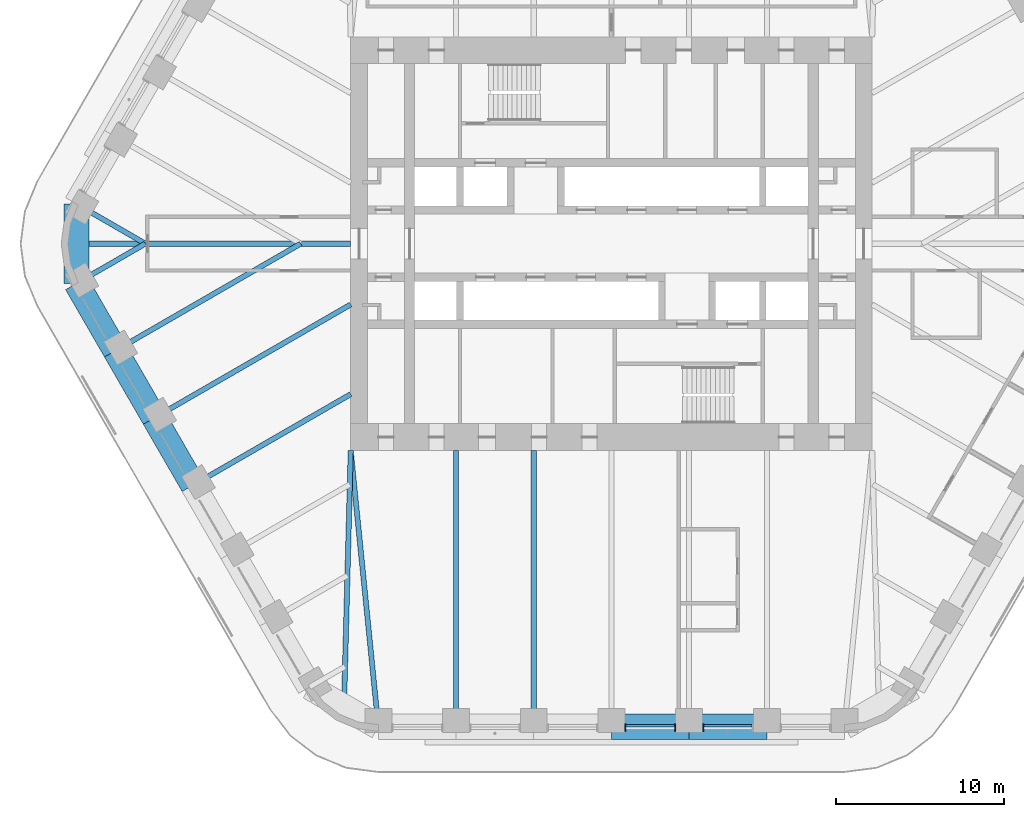
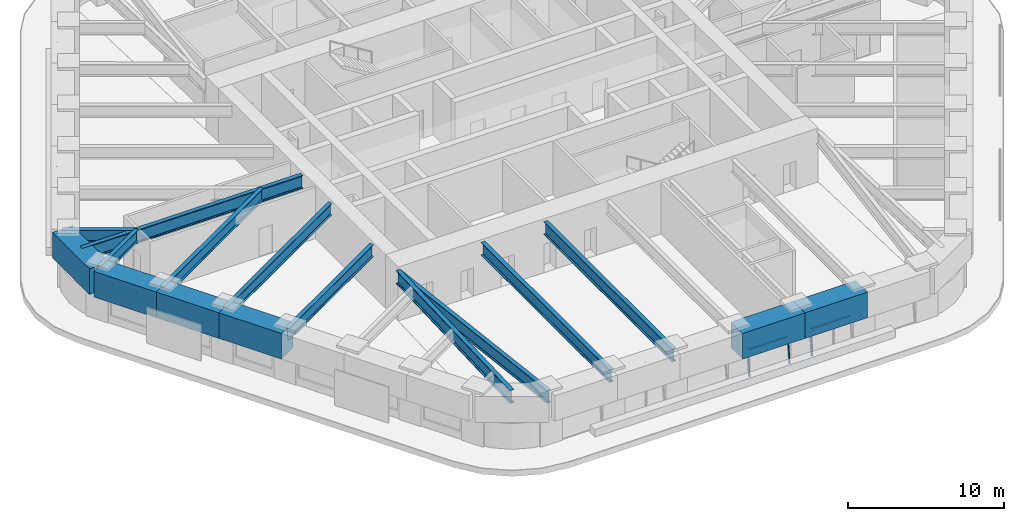
# One storey, part 3 of 20: 16 beams, 5 members, 2 elements without a shape of their own.
"""IFC4 building model written with IfcOpenShell, lengths in metres."""

from ifc_helpers import new_model, si_unit, direction, frame, origin, origin_2d, place, context, subcontext, project, spatial, rectangle, i_section, extrude, material, material_profile, profile_set, type_object, element, aggregate, save


model = new_model("IFC4")

# Units and contexts
model_context = context("Model", 3, precision=1e-05, world=origin(), true_north=direction((0.0, 1.0)))
body_context = subcontext(model_context, "Body", "Model", "MODEL_VIEW")
ifc_project = project(units=[si_unit("LENGTHUNIT", "METRE"), si_unit("AREAUNIT", "SQUARE_METRE"), si_unit("VOLUMEUNIT", "CUBIC_METRE"), si_unit("PLANEANGLEUNIT", "RADIAN"), si_unit("MASSUNIT", "GRAM", prefix="KILO")], contexts=[model_context])

# Site, building, storey
site_placement = place(None, origin())
site = spatial("IfcSite", under=ifc_project, at=site_placement, CompositionType="ELEMENT")
building_placement = place(site_placement, origin())
building = spatial("IfcBuilding", under=site, at=building_placement, Name="Tarfa Lantern Tower", CompositionType="ELEMENT")
storey_placement = place(building_placement, frame((0.0, 0.0, 223.89990234375)))
storey = spatial("IfcBuildingStorey", under=building, at=storey_placement, Name="L50", CompositionType="ELEMENT", Elevation=223.89990234375)

# Curtain wall, members
ifc_material_1 = material(Name="Aluminium framed curtain wall", Category="aluminium")
curtain_wall_type = type_object("IfcCurtainWallType", Name="CW3 CANTED GLAZING HIGH ZONE 2000", PredefinedType="USERDEFINED", material=ifc_material_1)
curtain_wall_1_placement = place(storey_placement, origin())
curtain_wall_1 = element("IfcCurtainWall", 1, at=curtain_wall_1_placement, inside=storey, type_object=curtain_wall_type, Name="CW3 S L50", ObjectType="CURTAIN WALL", PredefinedType="USERDEFINED")
ifc_material_2 = material(Name="Aluminium mullion", Category="aluminium")
ifc_material_profile_1 = material_profile(ifc_material_2, rectangle(XDim=0.06494140625, YDim=0.199951171875, at=origin_2d()), Name="AL MULLION 65x200")
ifc_profile_set_1 = profile_set([ifc_material_profile_1], Name="Aluminium mullion")
member_type_1 = type_object("IfcMemberType", Name="CWM1 MULLION 65x200", PredefinedType="MULLION", material=ifc_profile_set_1)
member_1_placement = place(storey_placement, frame((0.83251953125, -28.89990234375, 0.0), z_axis=(0.0, 0.124034734589, 0.992277876714), x_axis=(-1.0, 0.0, 0.0)))
member_1 = element("IfcMember", 2, at=member_1_placement, type_object=member_type_1, Name="CW3 mullion 1", PredefinedType="MULLION", context=body_context, shape_type="SweptSolid", body=[
    extrude(rectangle(XDim=0.06494140625, YDim=0.199951171875, at=origin_2d()), origin(), (0.0, 0.0, 1.0), 2.015625),
])
member_2_placement = place(storey_placement, frame((3.786376953125, -28.89990234375, 0.0), z_axis=(0.0, 0.124034734589, 0.992277876714), x_axis=(-1.0, 0.0, 0.0)))
member_2 = element("IfcMember", 3, at=member_2_placement, type_object=member_type_1, Name="CW3 mullion 2", PredefinedType="MULLION", context=body_context, shape_type="SweptSolid", body=[
    extrude(rectangle(XDim=0.06494140625, YDim=0.199951171875, at=origin_2d()), origin(), (0.0, 0.0, 1.0), 2.015625),
])

# Curtain wall, member
curtain_wall_2_placement = place(storey_placement, origin())
curtain_wall_2 = element("IfcCurtainWall", 4, at=curtain_wall_2_placement, inside=storey, type_object=curtain_wall_type, Name="CW3 S L50", ObjectType="CURTAIN WALL", PredefinedType="USERDEFINED")
member_3_placement = place(storey_placement, frame((5.451416015625, -28.89990234375, 0.0), z_axis=(0.0, 0.124034734589, 0.992277876714), x_axis=(-1.0, 0.0, 0.0)))
member_3 = element("IfcMember", 5, at=member_3_placement, type_object=member_type_1, Name="CW3 mullion 1", PredefinedType="MULLION", context=body_context, shape_type="SweptSolid", body=[
    extrude(rectangle(XDim=0.06494140625, YDim=0.199951171875, at=origin_2d()), origin(), (0.0, 0.0, 1.0), 2.015625),
])

# Member
ifc_material_3 = material(Name="Aluminium transom", Category="aluminium")
ifc_material_profile_2 = material_profile(ifc_material_3, rectangle(XDim=0.14990234375, YDim=0.06494140625, at=origin_2d()), Name="AL TRANSOM 150x65")
ifc_profile_set_2 = profile_set([ifc_material_profile_2], Name="Aluminium transom")
member_type_2 = type_object("IfcMemberType", Name="CWT1 TRANSOM 150x65", PredefinedType="USERDEFINED", material=ifc_profile_set_2)
member_4_placement = place(storey_placement, frame((0.864990234375, -28.654052734375, 1.967529296875), z_axis=(1.0, 0.0, 0.0), x_axis=(0.0, 1.0, 0.0)))
member_4 = element("IfcMember", 6, at=member_4_placement, type_object=member_type_2, Name="CW3 transom 1.2", ObjectType="TRANSOM", PredefinedType="USERDEFINED", context=body_context, shape_type="SweptSolid", body=[
    extrude(rectangle(XDim=0.14990234375, YDim=0.06494140625, at=origin_2d()), origin(), (0.0, 0.0, 1.0), 2.888916015625),
])

aggregate(curtain_wall_1, [member_1, member_2, member_4])

member_5_placement = place(storey_placement, frame((5.48388671875, -28.654052734375, 1.967529296875), z_axis=(1.0, 0.0, 0.0), x_axis=(0.0, 1.0, 0.0)))
member_5 = element("IfcMember", 7, at=member_5_placement, type_object=member_type_2, Name="CW3 transom 1.2", ObjectType="TRANSOM", PredefinedType="USERDEFINED", context=body_context, shape_type="SweptSolid", body=[
    extrude(rectangle(XDim=0.14990234375, YDim=0.06494140625, at=origin_2d()), origin(), (0.0, 0.0, 1.0), 2.888671875),
])

aggregate(curtain_wall_2, [member_3, member_5])

# Beams
ifc_material_4 = material(Name="Concrete C80/95", Category="concrete")
ifc_material_profile_3 = material_profile(ifc_material_4, rectangle(XDim=1.5, YDim=2.0, at=origin_2d()), Name="RC 1500x2000")
ifc_profile_set_3 = profile_set([ifc_material_profile_3], Name="Concrete C80/95")
beam_type_1 = type_object("IfcBeamType", Name="RB3 RC 1500x2000", PredefinedType="BEAM", material=ifc_profile_set_3)
beam_1_placement = place(storey_placement, frame((-31.800537109375, 2.360107421875, 3.0), z_axis=(0.0, -1.0, 0.0), x_axis=(1.0, 0.0, 0.0)))
element("IfcBeam", 8, at=beam_1_placement, inside=storey, type_object=beam_type_1, Name="Edge beam NW6", PredefinedType="BEAM", context=body_context, shape_type="SweptSolid", body=[
    extrude(rectangle(XDim=1.5, YDim=2.0, at=origin_2d()), origin(), (0.0, 0.0, 1.0), 4.72021484375),
])
beam_2_placement = place(storey_placement, frame((-31.800537109375, -2.360107421875, 3.0), z_axis=(0.500027479704, -0.866009537788, 0.0), x_axis=(0.866009537788, 0.500027479704, 0.0)))
element("IfcBeam", 9, at=beam_2_placement, inside=storey, type_object=beam_type_1, Name="Edge beam SW0", PredefinedType="BEAM", context=body_context, shape_type="SweptSolid", body=[
    extrude(rectangle(XDim=1.5, YDim=2.0, at=origin_2d()), origin(), (0.0, 0.0, 1.0), 4.618896484375),
])
for number, where, z_axis, x_axis, name in (
    (10, (-29.490966796875, -6.360107421875, 3.0), (0.499987836815, -0.866032426089, 0.0), (0.866032426089, 0.499987836815, 0.0), "Edge beam SW1"),
    (11, (-27.181640625, -10.360107421875, 3.0), (0.499987836815, -0.866032426089, 0.0), (0.866032426089, 0.499987836815, 0.0), "Edge beam SW2"),
):
    element("IfcBeam", number, at=place(storey_placement, frame(where, z_axis=z_axis, x_axis=x_axis)), inside=storey, type_object=beam_type_1, Name=name, PredefinedType="BEAM", context=body_context, shape_type="SweptSolid", body=[
        extrude(rectangle(XDim=1.5, YDim=2.0, at=origin_2d()), origin(), (0.0, 0.0, 1.0), 4.61865234375),
    ])
beam_3_placement = place(storey_placement, frame((0.0, -28.719970703125, 3.0), z_axis=(1.0, 0.0, 0.0), x_axis=(0.0, 1.0, 0.0)))
element("IfcBeam", 12, at=beam_3_placement, inside=storey, type_object=beam_type_1, Name="Edge beam S3", PredefinedType="BEAM", context=body_context, shape_type="SweptSolid", body=[
    extrude(rectangle(XDim=1.5, YDim=2.0, at=origin_2d()), origin(), (0.0, 0.0, 1.0), 4.618896484375),
])
beam_4_placement = place(storey_placement, frame((4.618896484375, -28.719970703125, 3.0), z_axis=(1.0, 0.0, 0.0), x_axis=(0.0, 1.0, 0.0)))
element("IfcBeam", 13, at=beam_4_placement, inside=storey, type_object=beam_type_1, Name="Edge beam S4", PredefinedType="BEAM", context=body_context, shape_type="SweptSolid", body=[
    extrude(rectangle(XDim=1.5, YDim=2.0, at=origin_2d()), origin(), (0.0, 0.0, 1.0), 4.61865234375),
])
ifc_material_5 = material(Name="Steel S460M", Category="steel")
ifc_material_profile_4 = material_profile(ifc_material_5, i_section(OverallWidth=0.302001953125, OverallDepth=1.008056640625, WebThickness=0.02099609375, FlangeThickness=0.0400390625, FilletRadius=0.030029296875, at=origin_2d()), Name="UB1016x305x349")
ifc_profile_set_4 = profile_set([ifc_material_profile_4], Name="Steel S460M")
beam_type_2 = type_object("IfcBeamType", Name="UB1016x305x349", PredefinedType="BEAM", material=ifc_profile_set_4)
beam_5_placement = place(storey_placement, frame((-13.8564453125, -28.719970703125, 3.49609375), z_axis=(-0.099597466746, 0.995027810977, 0.0), x_axis=(-0.995027810977, -0.099597466746, 0.0)))
element("IfcBeam", 14, at=beam_5_placement, inside=storey, type_object=beam_type_2, Name="Floor beam S0", PredefinedType="BEAM", context=body_context, shape_type="SweptSolid", body=[
    extrude(i_section(OverallWidth=0.302001953125, OverallDepth=1.008056640625, WebThickness=0.02099609375, FlangeThickness=0.0400390625, FilletRadius=0.030029296875, at=origin_2d()), origin(), (0.0, 0.0, 1.0), 16.501953125),
])
for number, where, z_axis, x_axis, name in (
    (15, (-9.237548828125, -28.719970703125, 3.49609375), (0.0, 1.0, 0.0), (-1.0, 0.0, 0.0), "Floor beam S1"),
    (16, (-4.618896484375, -28.719970703125, 3.49609375), (0.0, 1.0, 0.0), (-1.0, 0.0, 0.0), "Floor beam S2"),
):
    element("IfcBeam", number, at=place(storey_placement, frame(where, z_axis=z_axis, x_axis=x_axis)), inside=storey, type_object=beam_type_2, Name=name, PredefinedType="BEAM", context=body_context, shape_type="SweptSolid", body=[
        extrude(i_section(OverallWidth=0.302001953125, OverallDepth=1.008056640625, WebThickness=0.02099609375, FlangeThickness=0.0400390625, FilletRadius=0.030029296875, at=origin_2d()), origin(), (0.0, 0.0, 1.0), 16.419921875),
    ])
ifc_material_profile_5 = material_profile(ifc_material_5, i_section(OverallWidth=0.30859375, OverallDepth=1.036376953125, WebThickness=0.030029296875, FlangeThickness=0.05419921875, FilletRadius=0.030029296875, at=origin_2d()), Name="UB1016x305x487")
ifc_profile_set_5 = profile_set([ifc_material_profile_5], Name="Steel S460M")
beam_type_3 = type_object("IfcBeamType", Name="UB1016x305x487", PredefinedType="BEAM", material=ifc_profile_set_5)
beam_6_placement = place(storey_placement, frame((-15.5, 0.0, 3.48193359375), z_axis=(-1.0, 0.0, 0.0), x_axis=(0.0, -1.0, 0.0)))
element("IfcBeam", 17, at=beam_6_placement, inside=storey, type_object=beam_type_3, Name="Hip girder W", PredefinedType="BEAM", context=body_context, shape_type="SweptSolid", body=[
    extrude(i_section(OverallWidth=0.30859375, OverallDepth=1.036376953125, WebThickness=0.030029296875, FlangeThickness=0.05419921875, FilletRadius=0.030029296875, at=origin_2d()), origin(), (0.0, 0.0, 1.0), 16.300537109375),
])
beam_7_placement = place(storey_placement, frame((-15.5, -12.300048828125, 3.48193359375), z_axis=(-0.026247301989, -0.999655480222, 0.0), x_axis=(0.999655480222, -0.026247301989, 0.0)))
element("IfcBeam", 18, at=beam_7_placement, inside=storey, type_object=beam_type_3, Name="Hip girder SW", PredefinedType="BEAM", context=body_context, shape_type="SweptSolid", body=[
    extrude(i_section(OverallWidth=0.30859375, OverallDepth=1.036376953125, WebThickness=0.030029296875, FlangeThickness=0.05419921875, FilletRadius=0.030029296875, at=origin_2d()), origin(), (0.0, 0.0, 1.0), 15.245361328125),
])
ifc_material_profile_6 = material_profile(ifc_material_5, i_section(OverallWidth=0.305419921875, OverallDepth=0.91845703125, WebThickness=0.017333984375, FlangeThickness=0.02783203125, FilletRadius=0.01904296875, at=origin_2d()), Name="UB914x305x253")
ifc_profile_set_6 = profile_set([ifc_material_profile_6], Name="Steel S460M")
beam_type_4 = type_object("IfcBeamType", Name="UB914x305x253", PredefinedType="BEAM", material=ifc_profile_set_6)
for number, where, z_axis, x_axis, name in (
    (19, (-31.800537109375, 2.360107421875, 3.541015625), (0.866015897305, -0.500016465344, 0.0), (0.500016465344, 0.866015897305, 0.0), "Floor beam NW6"),
    (20, (-31.800537109375, -2.360107421875, 3.541015625), (0.866015897305, 0.500016465344, 0.0), (-0.500016465344, 0.866015897305, 0.0), "Floor beam SW0"),
):
    element("IfcBeam", number, at=place(storey_placement, frame(where, z_axis=z_axis, x_axis=x_axis)), inside=storey, type_object=beam_type_4, Name=name, PredefinedType="BEAM", context=body_context, shape_type="SweptSolid", body=[
        extrude(i_section(OverallWidth=0.305419921875, OverallDepth=0.91845703125, WebThickness=0.017333984375, FlangeThickness=0.02783203125, FilletRadius=0.01904296875, at=origin_2d()), origin(), (0.0, 0.0, 1.0), 4.719970703125),
    ])
beam_8_placement = place(storey_placement, frame((-29.490966796875, -6.360107421875, 3.541015625), z_axis=(0.866022258038, 0.500005448553, 0.0), x_axis=(-0.500005448553, 0.866022258038, 0.0)))
element("IfcBeam", 21, at=beam_8_placement, inside=storey, type_object=beam_type_4, Name="Floor beam SW1", PredefinedType="BEAM", context=body_context, shape_type="SweptSolid", body=[
    extrude(i_section(OverallWidth=0.305419921875, OverallDepth=0.91845703125, WebThickness=0.017333984375, FlangeThickness=0.02783203125, FilletRadius=0.01904296875, at=origin_2d()), origin(), (0.0, 0.0, 1.0), 12.719970703125),
])
beam_9_placement = place(storey_placement, frame((-27.181640625, -10.360107421875, 3.541015625), z_axis=(0.866018002818, 0.500012818631, 0.0), x_axis=(-0.500012818631, 0.866018002818, 0.0)))
element("IfcBeam", 22, at=beam_9_placement, inside=storey, type_object=beam_type_4, Name="Floor beam SW2", PredefinedType="BEAM", context=body_context, shape_type="SweptSolid", body=[
    extrude(i_section(OverallWidth=0.305419921875, OverallDepth=0.91845703125, WebThickness=0.017333984375, FlangeThickness=0.02783203125, FilletRadius=0.01904296875, at=origin_2d()), origin(), (0.0, 0.0, 1.0), 13.489013671875),
])
beam_10_placement = place(storey_placement, frame((-24.872314453125, -14.360107421875, 3.541015625), z_axis=(0.8660244219, 0.500001700669, 0.0), x_axis=(-0.500001700669, 0.8660244219, 0.0)))
element("IfcBeam", 23, at=beam_10_placement, inside=storey, type_object=beam_type_4, Name="Floor beam SW3", PredefinedType="BEAM", context=body_context, shape_type="SweptSolid", body=[
    extrude(i_section(OverallWidth=0.305419921875, OverallDepth=0.91845703125, WebThickness=0.017333984375, FlangeThickness=0.02783203125, FilletRadius=0.01904296875, at=origin_2d()), origin(), (0.0, 0.0, 1.0), 10.822265625),
])

save(model, "model.ifc")
